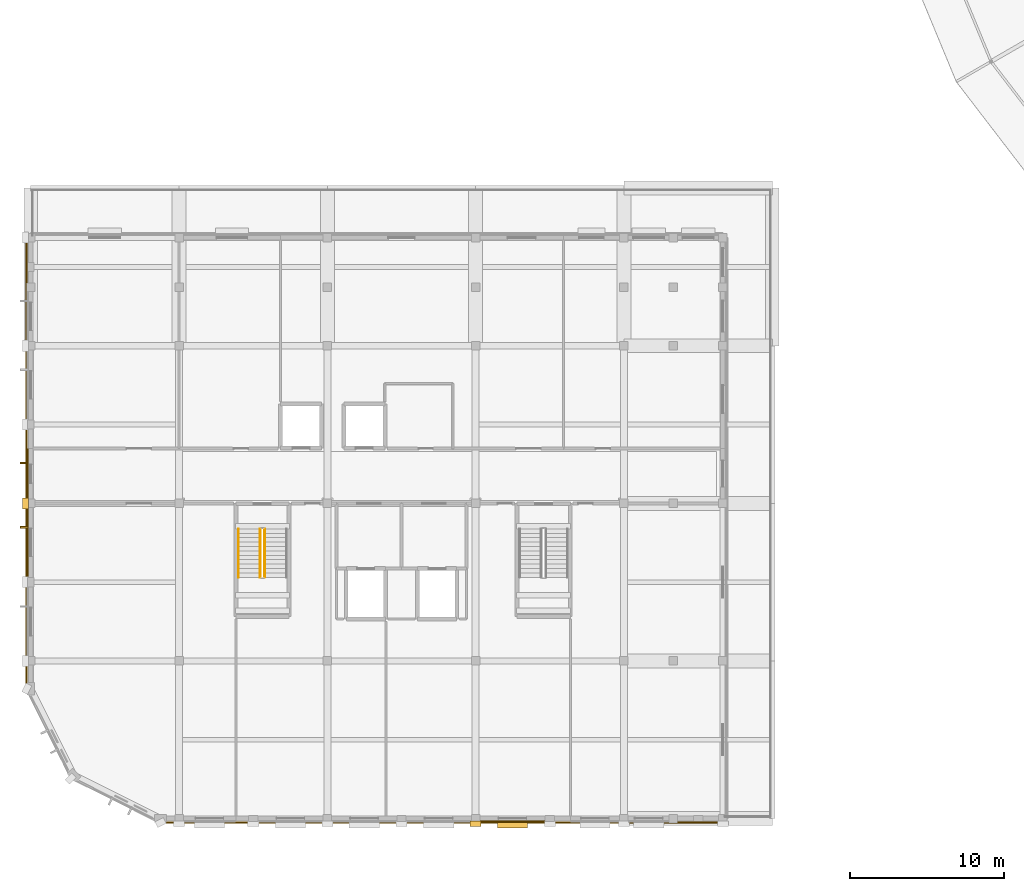
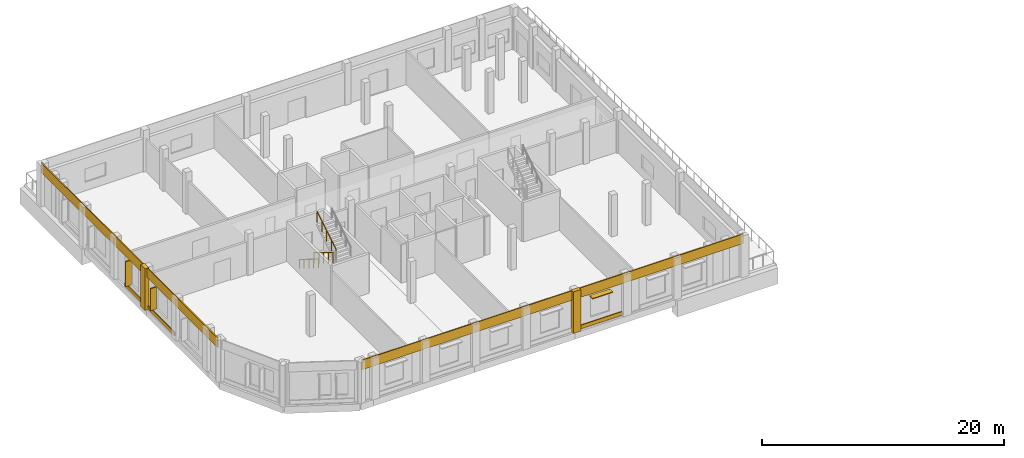
# One storey, part 65 of 70: 7 coverings, 3 railings, 3 shading devices.
"""IFC4 building model written with IfcOpenShell, lengths in metres."""

from ifc_helpers import new_model, si_unit, direction, frame, origin, origin_2d, place, context, subcontext, project, spatial, rectangle, circle, extrude, material, layer, layer_set, type_object, element, save


model = new_model("IFC4")

# Units and contexts
model_context = context("Model", 3, precision=1e-05, world=origin(), true_north=direction((0.0, 1.0)))
body_context = subcontext(model_context, "Body", "Model", "MODEL_VIEW")
ifc_project = project(units=[si_unit("LENGTHUNIT", "METRE"), si_unit("AREAUNIT", "SQUARE_METRE"), si_unit("VOLUMEUNIT", "CUBIC_METRE"), si_unit("PLANEANGLEUNIT", "RADIAN"), si_unit("MASSUNIT", "GRAM", prefix="KILO")], contexts=[model_context])

# Site, building, storey
site_placement = place(None, origin())
site = spatial("IfcSite", under=ifc_project, at=site_placement, CompositionType="ELEMENT")
building_placement = place(site_placement, origin())
building = spatial("IfcBuilding", under=site, at=building_placement, Name="Vondelvale Polytechnic", CompositionType="ELEMENT")
storey_placement = place(building_placement, frame((0.0, 0.0, 22.199951171875)))
storey = spatial("IfcBuildingStorey", under=building, at=storey_placement, Name="L05", CompositionType="ELEMENT", Elevation=22.199951171875)

# Coverings
ifc_material_1 = material(Name="Amsterdam School iron-spot clinker clay brickwork", Category="masonry")
ifc_layer_1 = layer(ifc_material_1, 0.090087890625)
ifc_layer_set_1 = layer_set([ifc_layer_1], Name="COV-BRICK-RELIEF")
covering_type = type_object("IfcCoveringType", Name="COV-BRICK-RELIEF", PredefinedType="CLADDING", material=ifc_layer_set_1)
covering_1_placement = place(storey_placement, frame((26.60009765625, -0.264892578125, 3.239990234375), z_axis=(0.0, 0.0, 1.0), x_axis=(1.0, 0.0, 0.0)))
element("IfcCovering", 1, at=covering_1_placement, inside=storey, type_object=covering_type, Name="L05 exterior masonry spandrel band", PredefinedType="CLADDING", context=body_context, shape_type="SweptSolid", body=[
    extrude(rectangle(XDim=36.39990234375, YDim=0.090087890625, at=origin_2d()), origin(), (0.0, 0.0, 1.0), 0.9599609375),
])
covering_2_placement = place(storey_placement, frame((-0.264892578125, 23.0, 3.239990234375), z_axis=(0.0, 0.0, 1.0), x_axis=(0.0, 1.0, 0.0)))
element("IfcCovering", 2, at=covering_2_placement, inside=storey, type_object=covering_type, Name="L05 exterior masonry spandrel band", PredefinedType="CLADDING", context=body_context, shape_type="SweptSolid", body=[
    extrude(rectangle(XDim=29.199951171875, YDim=0.090087890625, at=origin_2d()), origin(), (0.0, 0.0, 1.0), 0.9599609375),
])
covering_3_placement = place(storey_placement, frame((31.1875, -0.200927734375, 0.0), z_axis=(0.0, 0.0, 1.0), x_axis=(-1.0, 0.0, 0.0)))
element("IfcCovering", 3, at=covering_3_placement, inside=storey, type_object=covering_type, Name="L05 exterior corbelled masonry relief band", PredefinedType="CLADDING", context=body_context, shape_type="SweptSolid", body=[
    extrude(rectangle(XDim=4.1630859375, YDim=0.090087890625, at=origin_2d()), origin(), (0.0, 0.0, 1.0), 0.3798828125),
])
covering_4_placement = place(storey_placement, frame((-0.200927734375, 17.862548828125, 0.0), z_axis=(0.0, 0.0, 1.0), x_axis=(0.0, 1.0, 0.0)))
element("IfcCovering", 4, at=covering_4_placement, inside=storey, type_object=covering_type, Name="L05 exterior corbelled masonry relief band", PredefinedType="CLADDING", context=body_context, shape_type="SweptSolid", body=[
    extrude(rectangle(XDim=4.462890625, YDim=0.090087890625, at=origin_2d()), origin(), (0.0, 0.0, 1.0), 0.3798828125),
])
covering_5_placement = place(storey_placement, frame((-0.200927734375, 22.31298828125, 0.0), z_axis=(0.0, 0.0, 1.0), x_axis=(0.0, 1.0, 0.0)))
element("IfcCovering", 5, at=covering_5_placement, inside=storey, type_object=covering_type, Name="L05 exterior corbelled masonry relief band", PredefinedType="CLADDING", context=body_context, shape_type="SweptSolid", body=[
    extrude(rectangle(XDim=3.214111328125, YDim=0.090087890625, at=origin_2d()), origin(), (0.0, 0.0, 1.0), 0.3798828125),
])
covering_6_placement = place(storey_placement, frame((28.800048828125, -0.340087890625, 0.0), z_axis=(0.0, 0.0, 1.0), x_axis=(1.0, 0.0, 0.0)))
element("IfcCovering", 6, at=covering_6_placement, inside=storey, type_object=covering_type, Name="L05 Classical street pilaster", PredefinedType="CLADDING", context=body_context, shape_type="SweptSolid", body=[
    extrude(rectangle(XDim=0.719970703125, YDim=0.360107421875, at=origin_2d()), origin(), (0.0, 0.0, 1.0), 4.199951171875),
])
covering_7_placement = place(storey_placement, frame((-0.340087890625, 20.39990234375, 0.0), z_axis=(0.0, 0.0, 1.0), x_axis=(1.0, 0.0, 0.0)))
element("IfcCovering", 7, at=covering_7_placement, inside=storey, type_object=covering_type, Name="L05 Classical street pilaster", PredefinedType="CLADDING", context=body_context, shape_type="SweptSolid", body=[
    extrude(rectangle(XDim=0.360107421875, YDim=0.719970703125, at=origin_2d()), origin(), (0.0, 0.0, 1.0), 4.199951171875),
])

# Railings
ifc_material_2 = material(Name="Brushed architectural stainless and zinc-coated metal")
ifc_layer_2 = layer(ifc_material_2, 0.050048828125)
ifc_layer_set_2 = layer_set([ifc_layer_2], Name="RL-STAIR-GUARD")
railing_type_1 = type_object("IfcRailingType", Name="RL-STAIR-GUARD", PredefinedType="GUARDRAIL", material=ifc_layer_set_2)
railing_1_placement = place(storey_placement, frame((14.85009765625, 18.75, 0.175048828125)))
element("IfcRailing", 8, at=railing_1_placement, inside=storey, type_object=railing_type_1, Name="L05 ST-03 stair guard 1", PredefinedType="GUARDRAIL", context=body_context, shape_type="SweptSolid", body=[
    extrude(circle(Radius=0.02392578125, at=origin_2d()), frame((0.0, 0.0, 1.076171875), z_axis=(0.0, -0.852166034122, 0.523271488128), x_axis=(1.0, 0.0, 0.0)), (0.0, 0.0, 1.0), 3.678955078125),
    extrude(circle(Radius=0.02099609375, at=origin_2d()), origin(), (0.0, 0.0, 1.0), 1.052001953125),
    extrude(circle(Radius=0.02099609375, at=origin_2d()), frame((0.0, -0.78369140625, 0.481201171875)), (0.0, 0.0, 1.0), 1.052001953125),
    extrude(circle(Radius=0.02099609375, at=origin_2d()), frame((0.0, -1.5673828125, 0.96240234375)), (0.0, 0.0, 1.0), 1.052001953125),
    extrude(circle(Radius=0.02099609375, at=origin_2d()), frame((0.0, -2.351318359375, 1.44384765625)), (0.0, 0.0, 1.0), 1.052001953125),
    extrude(circle(Radius=0.02099609375, at=origin_2d()), frame((0.0, -3.135009765625, 1.925048828125)), (0.0, 0.0, 1.0), 1.052001953125),
])
railing_2_placement = place(storey_placement, frame((15.14990234375, 15.614990234375, 2.275146484375)))
element("IfcRailing", 9, at=railing_2_placement, inside=storey, type_object=railing_type_1, Name="L05 ST-03 stair guard 3", PredefinedType="GUARDRAIL", context=body_context, shape_type="SweptSolid", body=[
    extrude(circle(Radius=0.02392578125, at=origin_2d()), frame((0.0, 0.0, 1.076171875), z_axis=(0.0, 0.852195625947, 0.523223293744), x_axis=(-1.0, 0.0, 0.0)), (0.0, 0.0, 1.0), 3.6787109375),
    extrude(circle(Radius=0.02099609375, at=origin_2d()), origin(), (0.0, 0.0, 1.0), 1.052001953125),
    extrude(circle(Radius=0.02099609375, at=origin_2d()), frame((0.0, 0.78369140625, 0.481201171875)), (0.0, 0.0, 1.0), 1.052001953125),
    extrude(circle(Radius=0.02099609375, at=origin_2d()), frame((0.0, 1.5673828125, 0.96240234375)), (0.0, 0.0, 1.0), 1.052001953125),
    extrude(circle(Radius=0.02099609375, at=origin_2d()), frame((0.0, 2.351318359375, 1.443603515625)), (0.0, 0.0, 1.0), 1.052001953125),
    extrude(circle(Radius=0.02099609375, at=origin_2d()), frame((0.0, 3.135009765625, 1.9248046875)), (0.0, 0.0, 1.0), 1.052001953125),
])
ifc_layer_3 = layer(ifc_material_2, 0.048095703125)
ifc_layer_set_3 = layer_set([ifc_layer_3], Name="RL-STAIR-HANDRAIL")
railing_type_2 = type_object("IfcRailingType", Name="RL-STAIR-HANDRAIL", PredefinedType="HANDRAIL", material=ifc_layer_set_3)
railing_3_placement = place(storey_placement, frame((13.449951171875, 18.75, 0.175048828125)))
element("IfcRailing", 10, at=railing_3_placement, inside=storey, type_object=railing_type_2, Name="L05 ST-03 stair handrail 1", PredefinedType="HANDRAIL", context=body_context, shape_type="SweptSolid", body=[
    extrude(circle(Radius=0.02392578125, at=origin_2d()), frame((0.0, 0.0, 0.8759765625), z_axis=(0.0, -0.852166034122, 0.523271488128), x_axis=(1.0, 0.0, 0.0)), (0.0, 0.0, 1.0), 3.678955078125),
    extrude(circle(Radius=0.02099609375, at=origin_2d()), origin(), (0.0, 0.0, 1.0), 0.851806640625),
    extrude(circle(Radius=0.02099609375, at=origin_2d()), frame((0.0, -0.78369140625, 0.481201171875)), (0.0, 0.0, 1.0), 0.851806640625),
    extrude(circle(Radius=0.02099609375, at=origin_2d()), frame((0.0, -1.5673828125, 0.96240234375)), (0.0, 0.0, 1.0), 0.851806640625),
    extrude(circle(Radius=0.02099609375, at=origin_2d()), frame((0.0, -2.351318359375, 1.44384765625)), (0.0, 0.0, 1.0), 0.851806640625),
    extrude(circle(Radius=0.02099609375, at=origin_2d()), frame((0.0, -3.135009765625, 1.925048828125)), (0.0, 0.0, 1.0), 0.851806640625),
])

# Shading devices
ifc_material_3 = material(Name="Anodised extruded aluminium 6063-T6", Category="aluminium")
shading_device_type_1 = type_object("IfcShadingDeviceType", Name="SHD-BRONZE-LOUVRE", PredefinedType="SHUTTER", material=ifc_material_3)
shading_device_1_placement = place(storey_placement, frame((31.1875, -0.385009765625, 2.907470703125), z_axis=(0.0, 0.0, 1.0), x_axis=(-1.0, 0.0, 0.0)))
element("IfcShadingDevice", 11, at=shading_device_1_placement, inside=storey, type_object=shading_device_type_1, Name="L05 horizontal bronze sun-louvre overhang", PredefinedType="SHUTTER", context=body_context, shape_type="SweptSolid", body=[
    extrude(rectangle(XDim=1.9599609375, YDim=0.47998046875, at=origin_2d()), origin(), (0.0, 0.0, 1.0), 0.0849609375),
])
ifc_material_4 = material(Name="Kiln-fired architectural terracotta", Category="masonry")
shading_device_type_2 = type_object("IfcShadingDeviceType", Name="SHD-TERRA-FIN-550", PredefinedType="JALOUSIE", material=ifc_material_4)
shading_device_2_placement = place(storey_placement, frame((-0.419921875, 18.8525390625, 0.7900390625), z_axis=(0.0, 0.0, 1.0), x_axis=(0.0, 1.0, 0.0)))
element("IfcShadingDevice", 12, at=shading_device_2_placement, inside=storey, type_object=shading_device_type_2, Name="L05 vertical terracotta solar fin", PredefinedType="JALOUSIE", context=body_context, shape_type="SweptSolid", body=[
    extrude(rectangle(XDim=0.110107421875, YDim=0.550048828125, at=origin_2d()), origin(), (0.0, 0.0, 1.0), 2.219970703125),
])
shading_device_3_placement = place(storey_placement, frame((-0.419921875, 23.0029296875, 0.68994140625), z_axis=(0.0, 0.0, 1.0), x_axis=(0.0, 1.0, 0.0)))
element("IfcShadingDevice", 13, at=shading_device_3_placement, inside=storey, type_object=shading_device_type_2, Name="L05 vertical terracotta solar fin", PredefinedType="JALOUSIE", context=body_context, shape_type="SweptSolid", body=[
    extrude(rectangle(XDim=0.110107421875, YDim=0.550048828125, at=origin_2d()), origin(), (0.0, 0.0, 1.0), 2.52001953125),
])

save(model, "model.ifc")
